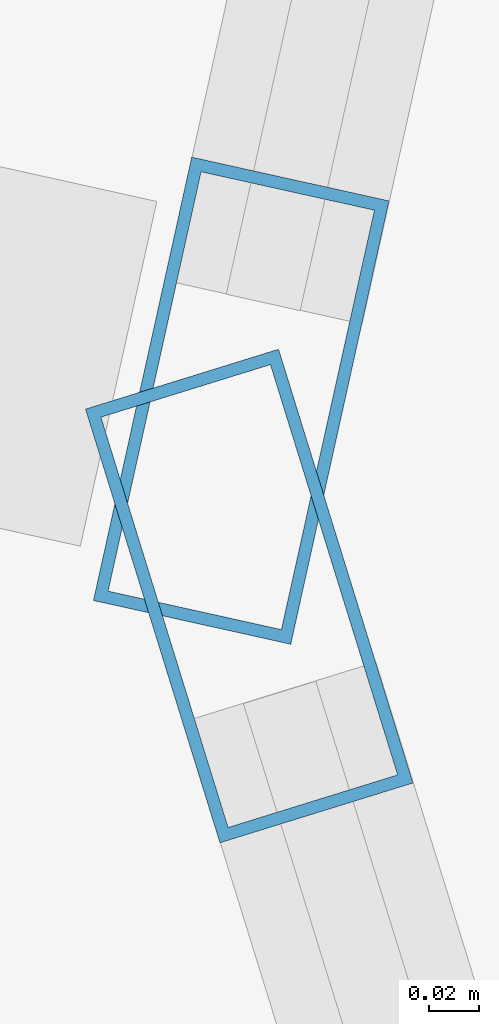
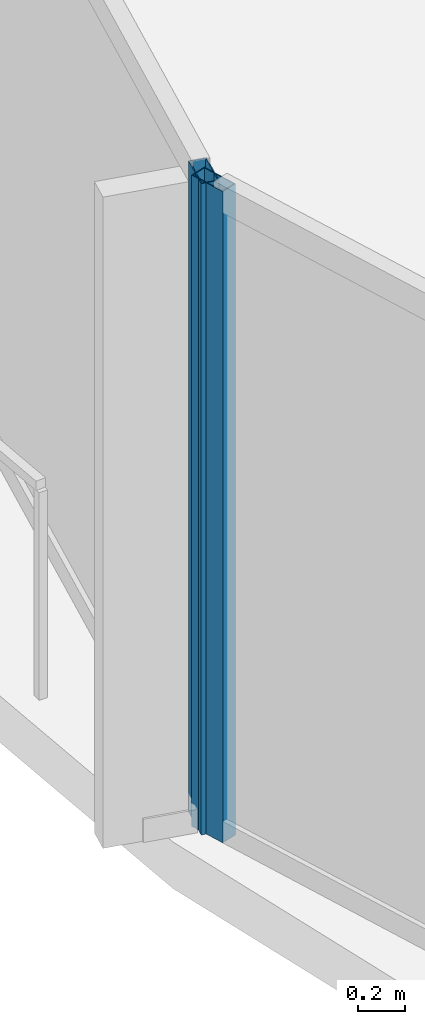
# One storey, part 9 of 32: 2 members, 2 elements without a shape of their own.
"""IFC4 building model written with IfcOpenShell, lengths in metres."""

from ifc_helpers import new_model, si_unit, direction, frame, origin, origin_2d, place, context, subcontext, project, spatial, hollow_rectangle, extrude, material, layer, layer_set, material_profile, profile_set, type_object, element, aggregate, save


model = new_model("IFC4")

# Units and contexts
model_context = context("Model", 3, precision=1e-05, world=origin(), true_north=direction((0.0, 1.0)))
body_context = subcontext(model_context, "Body", "Model", "MODEL_VIEW")
ifc_project = project(units=[si_unit("LENGTHUNIT", "METRE"), si_unit("AREAUNIT", "SQUARE_METRE"), si_unit("VOLUMEUNIT", "CUBIC_METRE"), si_unit("PLANEANGLEUNIT", "RADIAN"), si_unit("MASSUNIT", "GRAM", prefix="KILO")], contexts=[model_context])

# Site, building, storey
site_placement = place(None, origin())
site = spatial("IfcSite", under=ifc_project, at=site_placement, CompositionType="ELEMENT")
building_placement = place(site_placement, origin())
building = spatial("IfcBuilding", under=site, at=building_placement, Name="Kazevale Care Tower and Concert Hall", CompositionType="ELEMENT")
storey_placement = place(building_placement, frame((0.0, 0.0, 24.0)))
storey = spatial("IfcBuildingStorey", under=building, at=storey_placement, Name="L05", CompositionType="ELEMENT", Elevation=24.0)

# Curtain wall, member
ifc_material_1 = material(Name="Aluminium 6063-T6 and Low-E Glass", Category="aluminium")
ifc_layer = layer(ifc_material_1, 0.179931640625)
ifc_layer_set = layer_set([ifc_layer], Name="Aluminium 6063-T6 and Low-E Glass")
curtain_wall_type = type_object("IfcCurtainWallType", Name="Waist & Upper Residential Curtain Wall CW-4", PredefinedType="NOTDEFINED", material=ifc_layer_set)
curtain_wall_1_placement = place(storey_placement, origin())
curtain_wall_1 = element("IfcCurtainWall", 1, at=curtain_wall_1_placement, inside=storey, type_object=curtain_wall_type, Name="cw:L05:f12", PredefinedType="NOTDEFINED")
ifc_material_2 = material(Name="Aluminium 6063-T6", Category="aluminium")
ifc_material_profile = material_profile(ifc_material_2, hollow_rectangle(XDim=0.080078125, YDim=0.179931640625, WallThickness=0.0048828125, at=origin_2d()), Name="ALU80x180x5")
ifc_profile_set = profile_set([ifc_material_profile], Name="Aluminium 6063-T6")
member_type = type_object("IfcMemberType", Name="CW-4 Mullion ALU80x180x5", PredefinedType="MULLION", material=ifc_profile_set)
member_1_placement = place(storey_placement, frame((9.61572265625, 34.919677734375, 0.0), z_axis=(0.0, 0.0, 1.0), x_axis=(-0.955157326175, -0.296098771112, 0.0)))
member_1 = element("IfcMember", 2, at=member_1_placement, type_object=member_type, Name="CW-4 mullion 2", PredefinedType="MULLION", context=body_context, shape_type="SweptSolid", body=[
    extrude(hollow_rectangle(XDim=0.080078125, YDim=0.179931640625, WallThickness=0.0048828125, at=origin_2d()), origin(), (0.0, 0.0, 1.0), 3.360107421875),
])
aggregate(curtain_wall_1, [member_1])

curtain_wall_2_placement = place(storey_placement, origin())
curtain_wall_2 = element("IfcCurtainWall", 3, at=curtain_wall_2_placement, inside=storey, type_object=curtain_wall_type, Name="cw:L05:f13", PredefinedType="NOTDEFINED")
member_2_placement = place(storey_placement, frame((9.612548828125, 34.9970703125, 0.0), z_axis=(0.0, 0.0, 1.0), x_axis=(-0.976291328475, 0.216460716862, 0.0)))
member_2 = element("IfcMember", 4, at=member_2_placement, type_object=member_type, Name="CW-4 mullion 1", PredefinedType="MULLION", context=body_context, shape_type="SweptSolid", body=[
    extrude(hollow_rectangle(XDim=0.080078125, YDim=0.179931640625, WallThickness=0.0048828125, at=origin_2d()), origin(), (0.0, 0.0, 1.0), 3.360107421875),
])
aggregate(curtain_wall_2, [member_2])

save(model, "model.ifc")
